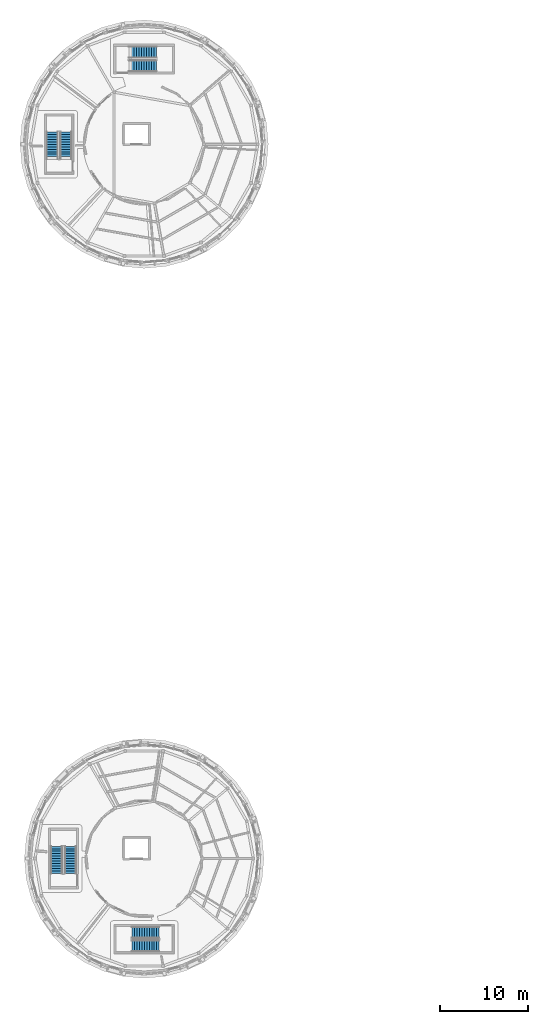
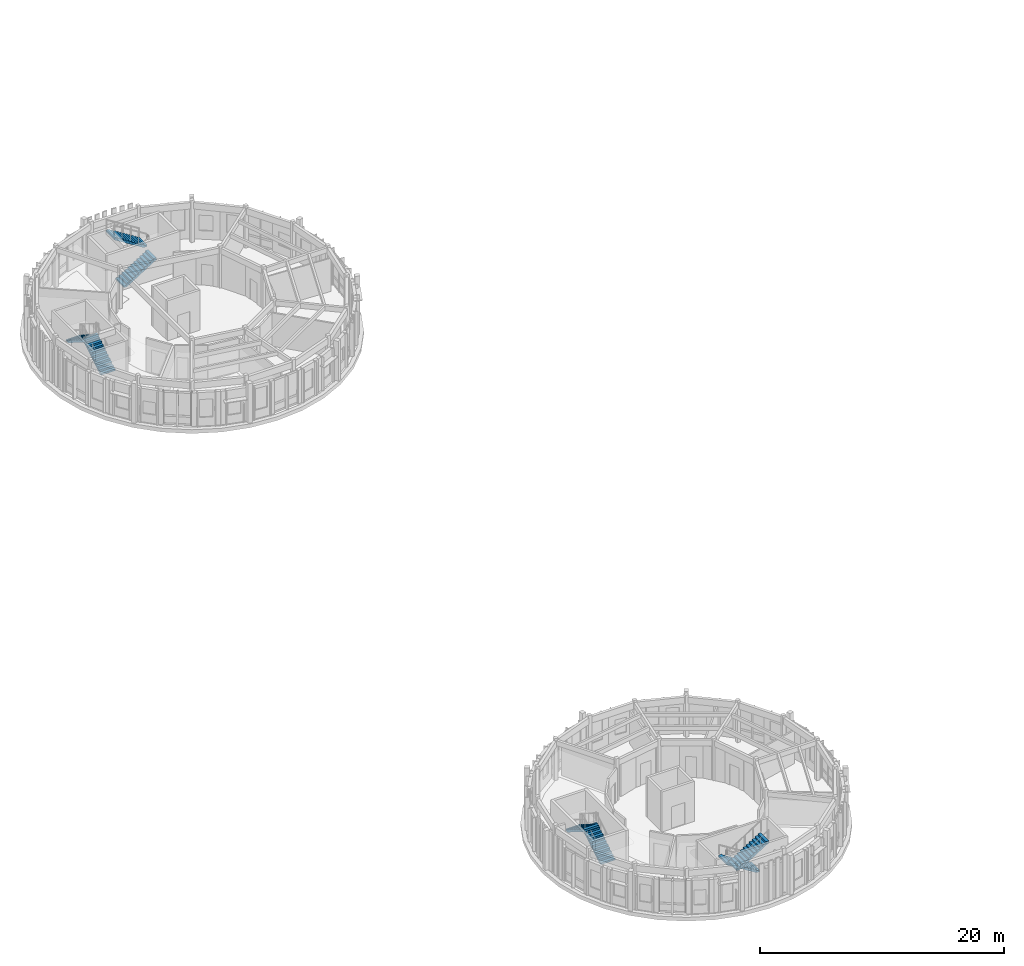
# One storey, part 27 of 37: 8 stair flights, 4 elements without a shape of their own.
"""IFC4 building model written with IfcOpenShell, lengths in metres."""

from ifc_helpers import new_model, si_unit, direction, frame, origin, place, context, subcontext, project, spatial, polyline, outline, extrude, material, type_object, element, aggregate, save


model = new_model("IFC4")

# Units and contexts
model_context = context("Model", 3, precision=1e-05, world=origin(), true_north=direction((0.0, 1.0)))
body_context = subcontext(model_context, "Body", "Model", "MODEL_VIEW")
ifc_project = project(units=[si_unit("LENGTHUNIT", "METRE"), si_unit("AREAUNIT", "SQUARE_METRE"), si_unit("VOLUMEUNIT", "CUBIC_METRE"), si_unit("PLANEANGLEUNIT", "RADIAN"), si_unit("MASSUNIT", "GRAM", prefix="KILO")], contexts=[model_context])

# Site, building, storey
site_placement = place(None, origin())
site = spatial("IfcSite", under=ifc_project, at=site_placement, CompositionType="ELEMENT")
building_placement = place(site_placement, origin())
building = spatial("IfcBuilding", under=site, at=building_placement, Name="Aldenvaro Health Centre", CompositionType="ELEMENT")
storey_placement = place(building_placement, frame((0.0, 0.0, 12.949951171875)))
storey = spatial("IfcBuildingStorey", under=building, at=storey_placement, Name="L03", CompositionType="ELEMENT", Elevation=12.949951171875)

# Stair, stair flights
ifc_material = material(Name="Concrete f'c 40 MPa", Category="concrete")
stair_type = type_object("IfcStairType", Name="STR-DOG-420", PredefinedType="HALF_TURN_STAIR", material=ifc_material)
stair_1_placement = place(storey_placement, origin())
stair_1 = element("IfcStair", 1, at=stair_1_placement, inside=storey, type_object=stair_type, Name="L03 Exit Stair ST-07", PredefinedType="HALF_TURN_STAIR")
stair_flight_type_1 = type_object("IfcStairFlightType", Name="STRF-01", PredefinedType="STRAIGHT", material=ifc_material)
stair_flight_1_placement = place(storey_placement, frame((16.800048828125, 108.375, 0.0), z_axis=(0.0, 0.0, 1.0), x_axis=(1.0, 0.0, 0.0)))
stair_flight_1 = element("IfcStairFlight", 2, at=stair_flight_1_placement, type_object=stair_flight_type_1, Name="ST-07 flight 1", NumberOfRisers=12, NumberOfTreads=11, PredefinedType="STRAIGHT", RiserHeight=0.175, TreadLength=0.28, context=body_context, shape_type="SweptSolid", body=[
    extrude(outline(polyline([(0.0, 0.0), (0.0, 0.175048828125), (0.280029296875, 0.175048828125), (0.280029296875, 0.35009765625), (0.56005859375, 0.35009765625), (0.56005859375, 0.52490234375), (0.840087890625, 0.52490234375), (0.840087890625, 0.699951171875), (1.1201171875, 0.699951171875), (1.1201171875, 0.875), (1.39990234375, 0.875), (1.39990234375, 1.050048828125), (1.679931640625, 1.050048828125), (1.679931640625, 1.22509765625), (1.9599609375, 1.22509765625), (1.9599609375, 1.39990234375), (2.239990234375, 1.39990234375), (2.239990234375, 1.574951171875), (2.52001953125, 1.574951171875), (2.52001953125, 1.75), (2.800048828125, 1.75), (2.800048828125, 1.925048828125), (3.080078125, 1.925048828125), (3.080078125, 2.10009765625), (3.080078125, 1.736328125), (0.3017578125, 0.0), (0.0, 0.0)])), frame((0.0, 0.675048828125, 0.0), z_axis=(0.0, -1.0, 0.0), x_axis=(1.0, 0.0, 0.0)), (0.0, 0.0, 1.0), 1.35009765625),
])
stair_flight_2_placement = place(storey_placement, frame((19.8798828125, 109.925048828125, 2.10009765625), z_axis=(0.0, 0.0, 1.0), x_axis=(-1.0, 0.0, 0.0)))
stair_flight_2 = element("IfcStairFlight", 3, at=stair_flight_2_placement, type_object=stair_flight_type_1, Name="ST-07 flight 2", NumberOfRisers=12, NumberOfTreads=11, PredefinedType="STRAIGHT", RiserHeight=0.175, TreadLength=0.28, context=body_context, shape_type="SweptSolid", body=[
    extrude(outline(polyline([(0.0, 0.0), (0.0, 0.175048828125), (0.280029296875, 0.175048828125), (0.280029296875, 0.35009765625), (0.56005859375, 0.35009765625), (0.56005859375, 0.52490234375), (0.840087890625, 0.52490234375), (0.840087890625, 0.699951171875), (1.1201171875, 0.699951171875), (1.1201171875, 0.875), (1.39990234375, 0.875), (1.39990234375, 1.050048828125), (1.679931640625, 1.050048828125), (1.679931640625, 1.22509765625), (1.9599609375, 1.22509765625), (1.9599609375, 1.39990234375), (2.239990234375, 1.39990234375), (2.239990234375, 1.574951171875), (2.52001953125, 1.574951171875), (2.52001953125, 1.75), (2.800048828125, 1.75), (2.800048828125, 1.925048828125), (3.080078125, 1.925048828125), (3.080078125, 2.10009765625), (3.080078125, 1.736328125), (0.3017578125, 0.0), (0.0, 0.0)])), frame((0.0, 0.675048828125, 0.0), z_axis=(0.0, -1.0, 0.0), x_axis=(1.0, 0.0, 0.0)), (0.0, 0.0, 1.0), 1.35009765625),
])
aggregate(stair_1, [stair_flight_1, stair_flight_2])

stair_2_placement = place(storey_placement, origin())
stair_2 = element("IfcStair", 4, at=stair_2_placement, inside=storey, type_object=stair_type, Name="L03 Exit Stair ST-09", PredefinedType="HALF_TURN_STAIR")
stair_flight_3_placement = place(storey_placement, frame((10.125, 16.800048828125, 0.0), z_axis=(0.0, 0.0, 1.0), x_axis=(0.0, 1.0, 0.0)))
stair_flight_3 = element("IfcStairFlight", 5, at=stair_flight_3_placement, type_object=stair_flight_type_1, Name="ST-09 flight 1", NumberOfRisers=12, NumberOfTreads=11, PredefinedType="STRAIGHT", RiserHeight=0.175, TreadLength=0.28, context=body_context, shape_type="SweptSolid", body=[
    extrude(outline(polyline([(0.0, 0.0), (0.0, 0.175048828125), (0.280029296875, 0.175048828125), (0.280029296875, 0.35009765625), (0.56005859375, 0.35009765625), (0.56005859375, 0.52490234375), (0.840087890625, 0.52490234375), (0.840087890625, 0.699951171875), (1.1201171875, 0.699951171875), (1.1201171875, 0.875), (1.39990234375, 0.875), (1.39990234375, 1.050048828125), (1.679931640625, 1.050048828125), (1.679931640625, 1.22509765625), (1.9599609375, 1.22509765625), (1.9599609375, 1.39990234375), (2.239990234375, 1.39990234375), (2.239990234375, 1.574951171875), (2.52001953125, 1.574951171875), (2.52001953125, 1.75), (2.800048828125, 1.75), (2.800048828125, 1.925048828125), (3.080078125, 1.925048828125), (3.080078125, 2.10009765625), (3.080078125, 1.736328125), (0.3017578125, 0.0), (0.0, 0.0)])), frame((0.0, 0.675048828125, 0.0), z_axis=(0.0, -1.0, 0.0), x_axis=(1.0, 0.0, 0.0)), (0.0, 0.0, 1.0), 1.35009765625),
])
stair_flight_4_placement = place(storey_placement, frame((8.574951171875, 19.8798828125, 2.10009765625), z_axis=(0.0, 0.0, 1.0), x_axis=(0.0, -1.0, 0.0)))
stair_flight_4 = element("IfcStairFlight", 6, at=stair_flight_4_placement, type_object=stair_flight_type_1, Name="ST-09 flight 2", NumberOfRisers=12, NumberOfTreads=11, PredefinedType="STRAIGHT", RiserHeight=0.175, TreadLength=0.28, context=body_context, shape_type="SweptSolid", body=[
    extrude(outline(polyline([(0.0, 0.0), (0.0, 0.175048828125), (0.280029296875, 0.175048828125), (0.280029296875, 0.35009765625), (0.56005859375, 0.35009765625), (0.56005859375, 0.52490234375), (0.840087890625, 0.52490234375), (0.840087890625, 0.699951171875), (1.1201171875, 0.699951171875), (1.1201171875, 0.875), (1.39990234375, 0.875), (1.39990234375, 1.050048828125), (1.679931640625, 1.050048828125), (1.679931640625, 1.22509765625), (1.9599609375, 1.22509765625), (1.9599609375, 1.39990234375), (2.239990234375, 1.39990234375), (2.239990234375, 1.574951171875), (2.52001953125, 1.574951171875), (2.52001953125, 1.75), (2.800048828125, 1.75), (2.800048828125, 1.925048828125), (3.080078125, 1.925048828125), (3.080078125, 2.10009765625), (3.080078125, 1.736328125), (0.3017578125, 0.0), (0.0, 0.0)])), frame((0.0, 0.675048828125, 0.0), z_axis=(0.0, -1.0, 0.0), x_axis=(1.0, 0.0, 0.0)), (0.0, 0.0, 1.0), 1.35009765625),
])
aggregate(stair_2, [stair_flight_3, stair_flight_4])

stair_3_placement = place(storey_placement, origin())
stair_3 = element("IfcStair", 7, at=stair_3_placement, inside=storey, type_object=stair_type, Name="L03 Exit Stair ST-08", PredefinedType="HALF_TURN_STAIR")
stair_flight_type_2 = type_object("IfcStairFlightType", Name="STRF-02", PredefinedType="STRAIGHT", material=ifc_material)
stair_flight_5_placement = place(storey_placement, frame((9.625, 97.800048828125, 0.0), z_axis=(0.0, 0.0, 1.0), x_axis=(0.0, 1.0, 0.0)))
stair_flight_5 = element("IfcStairFlight", 8, at=stair_flight_5_placement, type_object=stair_flight_type_2, Name="ST-08 flight 1", NumberOfRisers=12, NumberOfTreads=11, PredefinedType="STRAIGHT", RiserHeight=0.175, TreadLength=0.28, context=body_context, shape_type="SweptSolid", body=[
    extrude(outline(polyline([(0.0, 0.0), (0.0, 0.175048828125), (0.280029296875, 0.175048828125), (0.280029296875, 0.35009765625), (0.56005859375, 0.35009765625), (0.56005859375, 0.52490234375), (0.840087890625, 0.52490234375), (0.840087890625, 0.699951171875), (1.1201171875, 0.699951171875), (1.1201171875, 0.875), (1.39990234375, 0.875), (1.39990234375, 1.050048828125), (1.679931640625, 1.050048828125), (1.679931640625, 1.22509765625), (1.9599609375, 1.22509765625), (1.9599609375, 1.39990234375), (2.239990234375, 1.39990234375), (2.239990234375, 1.574951171875), (2.52001953125, 1.574951171875), (2.52001953125, 1.75), (2.800048828125, 1.75), (2.800048828125, 1.925048828125), (3.080078125, 1.925048828125), (3.080078125, 2.10009765625), (3.080078125, 1.736328125), (0.3017578125, 0.0), (0.0, 0.0)])), frame((0.0, 0.675048828125, 0.0), z_axis=(0.0, -1.0, 0.0), x_axis=(1.0, 0.0, 0.0)), (0.0, 0.0, 1.0), 1.35009765625),
])
stair_flight_6_placement = place(storey_placement, frame((8.074951171875, 100.8798828125, 2.10009765625), z_axis=(0.0, 0.0, 1.0), x_axis=(0.0, -1.0, 0.0)))
stair_flight_6 = element("IfcStairFlight", 9, at=stair_flight_6_placement, type_object=stair_flight_type_2, Name="ST-08 flight 2", NumberOfRisers=12, NumberOfTreads=11, PredefinedType="STRAIGHT", RiserHeight=0.175, TreadLength=0.28, context=body_context, shape_type="SweptSolid", body=[
    extrude(outline(polyline([(0.0, 0.0), (0.0, 0.175048828125), (0.280029296875, 0.175048828125), (0.280029296875, 0.35009765625), (0.56005859375, 0.35009765625), (0.56005859375, 0.52490234375), (0.840087890625, 0.52490234375), (0.840087890625, 0.699951171875), (1.1201171875, 0.699951171875), (1.1201171875, 0.875), (1.39990234375, 0.875), (1.39990234375, 1.050048828125), (1.679931640625, 1.050048828125), (1.679931640625, 1.22509765625), (1.9599609375, 1.22509765625), (1.9599609375, 1.39990234375), (2.239990234375, 1.39990234375), (2.239990234375, 1.574951171875), (2.52001953125, 1.574951171875), (2.52001953125, 1.75), (2.800048828125, 1.75), (2.800048828125, 1.925048828125), (3.080078125, 1.925048828125), (3.080078125, 2.10009765625), (3.080078125, 1.736328125), (0.3017578125, 0.0), (0.0, 0.0)])), frame((0.0, 0.675048828125, 0.0), z_axis=(0.0, -1.0, 0.0), x_axis=(1.0, 0.0, 0.0)), (0.0, 0.0, 1.0), 1.35009765625),
])
aggregate(stair_3, [stair_flight_5, stair_flight_6])

stair_4_placement = place(storey_placement, origin())
stair_4 = element("IfcStair", 10, at=stair_4_placement, inside=storey, type_object=stair_type, Name="L03 Exit Stair ST-10", PredefinedType="HALF_TURN_STAIR")
stair_flight_7_placement = place(storey_placement, frame((20.199951171875, 10.125, 0.0), z_axis=(0.0, 0.0, 1.0), x_axis=(-1.0, 0.0, 0.0)))
stair_flight_7 = element("IfcStairFlight", 11, at=stair_flight_7_placement, type_object=stair_flight_type_2, Name="ST-10 flight 1", NumberOfRisers=12, NumberOfTreads=11, PredefinedType="STRAIGHT", RiserHeight=0.175, TreadLength=0.28, context=body_context, shape_type="SweptSolid", body=[
    extrude(outline(polyline([(0.0, 0.0), (0.0, 0.175048828125), (0.280029296875, 0.175048828125), (0.280029296875, 0.35009765625), (0.56005859375, 0.35009765625), (0.56005859375, 0.52490234375), (0.840087890625, 0.52490234375), (0.840087890625, 0.699951171875), (1.1201171875, 0.699951171875), (1.1201171875, 0.875), (1.39990234375, 0.875), (1.39990234375, 1.050048828125), (1.679931640625, 1.050048828125), (1.679931640625, 1.22509765625), (1.9599609375, 1.22509765625), (1.9599609375, 1.39990234375), (2.239990234375, 1.39990234375), (2.239990234375, 1.574951171875), (2.52001953125, 1.574951171875), (2.52001953125, 1.75), (2.800048828125, 1.75), (2.800048828125, 1.925048828125), (3.080078125, 1.925048828125), (3.080078125, 2.10009765625), (3.080078125, 1.736328125), (0.3017578125, 0.0), (0.0, 0.0)])), frame((0.0, 0.675048828125, 0.0), z_axis=(0.0, -1.0, 0.0), x_axis=(1.0, 0.0, 0.0)), (0.0, 0.0, 1.0), 1.35009765625),
])
stair_flight_8_placement = place(storey_placement, frame((17.1201171875, 8.574951171875, 2.10009765625), z_axis=(0.0, 0.0, 1.0), x_axis=(1.0, 0.0, 0.0)))
stair_flight_8 = element("IfcStairFlight", 12, at=stair_flight_8_placement, type_object=stair_flight_type_2, Name="ST-10 flight 2", NumberOfRisers=12, NumberOfTreads=11, PredefinedType="STRAIGHT", RiserHeight=0.175, TreadLength=0.28, context=body_context, shape_type="SweptSolid", body=[
    extrude(outline(polyline([(0.0, 0.0), (0.0, 0.175048828125), (0.280029296875, 0.175048828125), (0.280029296875, 0.35009765625), (0.56005859375, 0.35009765625), (0.56005859375, 0.52490234375), (0.840087890625, 0.52490234375), (0.840087890625, 0.699951171875), (1.1201171875, 0.699951171875), (1.1201171875, 0.875), (1.39990234375, 0.875), (1.39990234375, 1.050048828125), (1.679931640625, 1.050048828125), (1.679931640625, 1.22509765625), (1.9599609375, 1.22509765625), (1.9599609375, 1.39990234375), (2.239990234375, 1.39990234375), (2.239990234375, 1.574951171875), (2.52001953125, 1.574951171875), (2.52001953125, 1.75), (2.800048828125, 1.75), (2.800048828125, 1.925048828125), (3.080078125, 1.925048828125), (3.080078125, 2.10009765625), (3.080078125, 1.736328125), (0.3017578125, 0.0), (0.0, 0.0)])), frame((0.0, 0.675048828125, 0.0), z_axis=(0.0, -1.0, 0.0), x_axis=(1.0, 0.0, 0.0)), (0.0, 0.0, 1.0), 1.35009765625),
])
aggregate(stair_4, [stair_flight_7, stair_flight_8])

save(model, "model.ifc")
